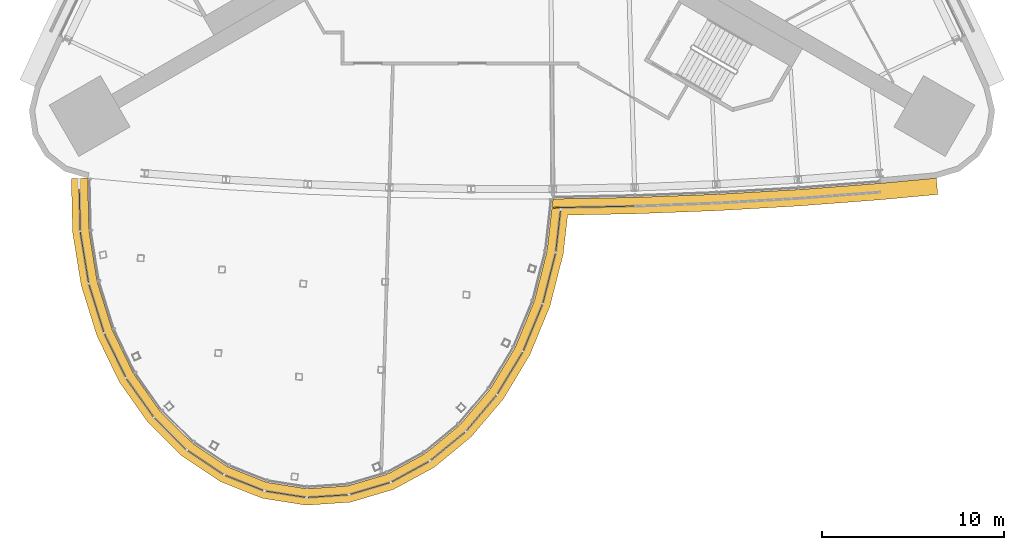
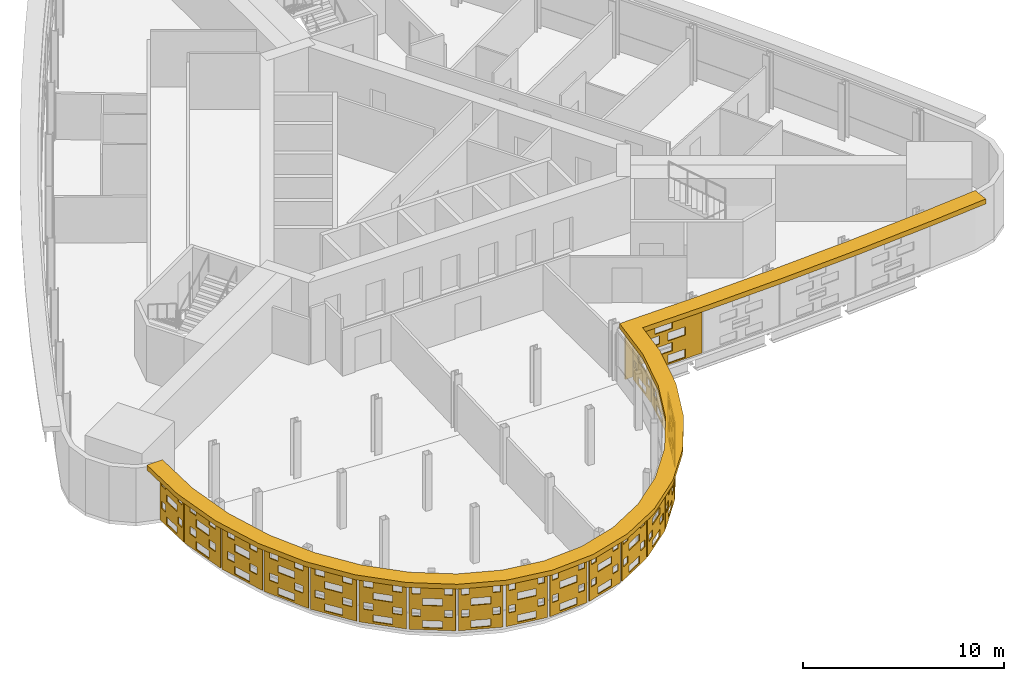
# One storey, part 13 of 15: 20 shading devices.
"""IFC4 building model written with IfcOpenShell, lengths in metres."""

from ifc_helpers import new_model, si_unit, direction, frame, origin, place, context, subcontext, project, spatial, polyline, outline, extrude, material, layer, layer_set, material_profile, profile_set, type_object, element, save


model = new_model("IFC4")

# Units and contexts
model_context = context("Model", 3, precision=1e-05, world=origin(), true_north=direction((0.0, 1.0)))
body_context = subcontext(model_context, "Body", "Model", "MODEL_VIEW")
ifc_project = project(units=[si_unit("LENGTHUNIT", "METRE"), si_unit("AREAUNIT", "SQUARE_METRE"), si_unit("VOLUMEUNIT", "CUBIC_METRE"), si_unit("PLANEANGLEUNIT", "RADIAN"), si_unit("MASSUNIT", "GRAM", prefix="KILO")], contexts=[model_context])

# Site, building, storey
site_placement = place(None, origin())
site = spatial("IfcSite", under=ifc_project, at=site_placement, CompositionType="ELEMENT")
building_placement = place(site_placement, origin())
building = spatial("IfcBuilding", under=site, at=building_placement, Name="Noor Cloister Tower", CompositionType="ELEMENT")
storey_placement = place(building_placement, frame((0.0, 0.0, 58.199951171875)))
storey = spatial("IfcBuildingStorey", under=building, at=storey_placement, Name="L14", CompositionType="ELEMENT", Elevation=58.199951171875)

# Shading devices
ifc_material_1 = material(Name="Limestone", Category="masonry")
ifc_material_profile = material_profile(ifc_material_1, outline(polyline([(-2.22998046875, -1.35009765625), (2.22998046875, -1.35009765625), (2.22998046875, 1.35009765625), (-2.22998046875, 1.35009765625), (-2.22998046875, -1.35009765625)]), holes=[polyline([(-1.25, -1.263427734375), (-0.25, -1.263427734375), (-0.25, -0.76171875), (-1.25, -0.76171875), (-1.25, -1.263427734375)]), polyline([(0.25, -1.263427734375), (1.25, -1.263427734375), (1.25, -0.76171875), (0.25, -0.76171875), (0.25, -1.263427734375)]), polyline([(-0.5, -0.58837890625), (0.5, -0.58837890625), (0.5, -0.086669921875), (-0.5, -0.086669921875), (-0.5, -0.58837890625)]), polyline([(-1.25, 0.086669921875), (-0.25, 0.086669921875), (-0.25, 0.58837890625), (-1.25, 0.58837890625), (-1.25, 0.086669921875)]), polyline([(0.25, 0.086669921875), (1.25, 0.086669921875), (1.25, 0.58837890625), (0.25, 0.58837890625), (0.25, 0.086669921875)]), polyline([(-0.5, 0.76171875), (0.5, 0.76171875), (0.5, 1.263427734375), (-0.5, 1.263427734375), (-0.5, 0.76171875)])]), Name="Woven screen 25 percent open")
ifc_profile_set = profile_set([ifc_material_profile], Name="Limestone")
shading_device_type_1 = type_object("IfcShadingDeviceType", Name="SCREEN woven limestone 25 percent open", PredefinedType="USERDEFINED", material=ifc_profile_set)
shading_device_1_placement = place(storey_placement, frame((4.508056640625, -18.35107421875, 1.85009765625), z_axis=(0.020321006241, -0.999793507033, 0.0), x_axis=(0.999793507033, 0.020321006241, 0.0)))
element("IfcShadingDevice", 1, at=shading_device_1_placement, inside=storey, type_object=shading_device_type_1, Name="SCREEN L14 19", ObjectType="SCREEN", PredefinedType="USERDEFINED", context=body_context, shape_type="SweptSolid", body=[
    extrude(outline(polyline([(-2.22998046875, -1.35009765625), (2.22998046875, -1.35009765625), (2.22998046875, 1.35009765625), (-2.22998046875, 1.35009765625), (-2.22998046875, -1.35009765625)]), holes=[polyline([(-1.25, -1.263427734375), (-0.25, -1.263427734375), (-0.25, -0.76171875), (-1.25, -0.76171875), (-1.25, -1.263427734375)]), polyline([(0.25, -1.263427734375), (1.25, -1.263427734375), (1.25, -0.76171875), (0.25, -0.76171875), (0.25, -1.263427734375)]), polyline([(-0.5, -0.58837890625), (0.5, -0.58837890625), (0.5, -0.086669921875), (-0.5, -0.086669921875), (-0.5, -0.58837890625)]), polyline([(-1.25, 0.086669921875), (-0.25, 0.086669921875), (-0.25, 0.58837890625), (-1.25, 0.58837890625), (-1.25, 0.086669921875)]), polyline([(0.25, 0.086669921875), (1.25, 0.086669921875), (1.25, 0.58837890625), (0.25, 0.58837890625), (0.25, 0.086669921875)]), polyline([(-0.5, 0.76171875), (0.5, 0.76171875), (0.5, 1.263427734375), (-0.5, 1.263427734375), (-0.5, 0.76171875)])]), origin(), (0.0, 0.0, 1.0), 0.06005859375),
])
ifc_material_2 = material(Name="Limestone", Category="masonry")
ifc_layer = layer(ifc_material_2, 0.06005859375)
ifc_layer_set = layer_set([ifc_layer], Name="SCREEN woven limestone pod 25 percent open")
shading_device_type_2 = type_object("IfcShadingDeviceType", Name="SCREEN woven limestone pod 25 percent open", PredefinedType="USERDEFINED", material=ifc_layer_set)
shading_device_2_placement = place(storey_placement, frame((-23.707275390625, -18.546142578125, 1.85009765625), z_axis=(-0.999702690643, -0.024382992455, 0.0), x_axis=(0.024382992455, -0.999702690643, 0.0)))
element("IfcShadingDevice", 2, at=shading_device_2_placement, inside=storey, type_object=shading_device_type_2, Name="SCREEN L14 1", ObjectType="SCREEN", PredefinedType="USERDEFINED", context=body_context, shape_type="SweptSolid", body=[
    extrude(outline(polyline([(-1.115966796875, -1.35009765625), (1.115966796875, -1.35009765625), (1.115966796875, 1.35009765625), (-1.115966796875, 1.35009765625), (-1.115966796875, -1.35009765625)]), holes=[polyline([(-0.5, -1.22998046875), (0.5, -1.22998046875), (0.5, -0.794921875), (-0.5, -0.794921875), (-0.5, -1.22998046875)]), polyline([(0.60009765625, -0.554931640625), (0.9658203125, -0.554931640625), (0.9658203125, -0.1201171875), (0.60009765625, -0.1201171875), (0.60009765625, -0.554931640625)]), polyline([(-0.9658203125, -0.554931640625), (-0.60009765625, -0.554931640625), (-0.60009765625, -0.1201171875), (-0.9658203125, -0.1201171875), (-0.9658203125, -0.554931640625)]), polyline([(-0.5, 0.1201171875), (0.5, 0.1201171875), (0.5, 0.554931640625), (-0.5, 0.554931640625), (-0.5, 0.1201171875)]), polyline([(0.60009765625, 0.794921875), (0.9658203125, 0.794921875), (0.9658203125, 1.22998046875), (0.60009765625, 1.22998046875), (0.60009765625, 0.794921875)]), polyline([(-0.9658203125, 0.794921875), (-0.60009765625, 0.794921875), (-0.60009765625, 1.22998046875), (-0.9658203125, 1.22998046875), (-0.9658203125, 0.794921875)])]), origin(), (0.0, 0.0, 1.0), 0.06005859375),
])
shading_device_3_placement = place(storey_placement, frame((-23.449462890625, -21.1435546875, 1.85009765625), z_axis=(-0.986721182076, -0.162423239848, 0.0), x_axis=(0.162423239848, -0.986721182076, 0.0)))
element("IfcShadingDevice", 3, at=shading_device_3_placement, inside=storey, type_object=shading_device_type_2, Name="SCREEN L14 2", ObjectType="SCREEN", PredefinedType="USERDEFINED", context=body_context, shape_type="SweptSolid", body=[
    extrude(outline(polyline([(-1.398681640625, -1.35009765625), (1.398681640625, -1.35009765625), (1.398681640625, 1.35009765625), (-1.398681640625, 1.35009765625), (-1.398681640625, -1.35009765625)]), holes=[polyline([(-0.5, -1.24853515625), (0.5, -1.24853515625), (0.5, -0.7763671875), (-0.5, -0.7763671875), (-0.5, -1.24853515625)]), polyline([(-1.0, -0.573486328125), (-0.5, -0.573486328125), (-0.5, -0.1015625), (-1.0, -0.1015625), (-1.0, -0.573486328125)]), polyline([(0.5, -0.573486328125), (1.0, -0.573486328125), (1.0, -0.1015625), (0.5, -0.1015625), (0.5, -0.573486328125)]), polyline([(-0.5, 0.1015625), (0.5, 0.1015625), (0.5, 0.573486328125), (-0.5, 0.573486328125), (-0.5, 0.1015625)]), polyline([(-1.0, 0.7763671875), (-0.5, 0.7763671875), (-0.5, 1.24853515625), (-1.0, 1.24853515625), (-1.0, 0.7763671875)]), polyline([(0.5, 0.7763671875), (1.0, 0.7763671875), (1.0, 1.24853515625), (0.5, 1.24853515625), (0.5, 0.7763671875)])]), origin(), (0.0, 0.0, 1.0), 0.06005859375),
])
shading_device_4_placement = place(storey_placement, frame((-22.796630859375, -23.929443359375, 1.85009765625), z_axis=(-0.954984766623, -0.296654842398, 0.0), x_axis=(0.296654842398, -0.954984766623, 0.0)))
element("IfcShadingDevice", 4, at=shading_device_4_placement, inside=storey, type_object=shading_device_type_2, Name="SCREEN L14 3", ObjectType="SCREEN", PredefinedType="USERDEFINED", context=body_context, shape_type="SweptSolid", body=[
    extrude(outline(polyline([(-1.36572265625, -1.35009765625), (1.36572265625, -1.35009765625), (1.36572265625, 1.35009765625), (-1.36572265625, 1.35009765625), (-1.36572265625, -1.35009765625)]), holes=[polyline([(-0.5, -1.242919921875), (0.5, -1.242919921875), (0.5, -0.781982421875), (-0.5, -0.781982421875), (-0.5, -1.242919921875)]), polyline([(-1.0, -0.56787109375), (-0.5, -0.56787109375), (-0.5, -0.10693359375), (-1.0, -0.10693359375), (-1.0, -0.56787109375)]), polyline([(0.5, -0.56787109375), (1.0, -0.56787109375), (1.0, -0.10693359375), (0.5, -0.10693359375), (0.5, -0.56787109375)]), polyline([(-0.5, 0.10693359375), (0.5, 0.10693359375), (0.5, 0.56787109375), (-0.5, 0.56787109375), (-0.5, 0.10693359375)]), polyline([(-1.0, 0.781982421875), (-0.5, 0.781982421875), (-0.5, 1.242919921875), (-1.0, 1.242919921875), (-1.0, 0.781982421875)]), polyline([(0.5, 0.781982421875), (1.0, 0.781982421875), (1.0, 1.242919921875), (0.5, 1.242919921875), (0.5, 0.781982421875)])]), origin(), (0.0, 0.0, 1.0), 0.06005859375),
])
shading_device_5_placement = place(storey_placement, frame((-21.773681640625, -26.520751953125, 1.85009765625), z_axis=(-0.898455643642, -0.43906429644, 0.0), x_axis=(0.43906429644, -0.898455643642, 0.0)))
element("IfcShadingDevice", 5, at=shading_device_5_placement, inside=storey, type_object=shading_device_type_2, Name="SCREEN L14 4", ObjectType="SCREEN", PredefinedType="USERDEFINED", context=body_context, shape_type="SweptSolid", body=[
    extrude(outline(polyline([(-1.3203125, -1.35009765625), (1.3203125, -1.35009765625), (1.3203125, 1.35009765625), (-1.3203125, 1.35009765625), (-1.3203125, -1.35009765625)]), holes=[polyline([(-0.5, -1.2353515625), (0.5, -1.2353515625), (0.5, -0.789794921875), (-0.5, -0.789794921875), (-0.5, -1.2353515625)]), polyline([(-1.0, -0.560302734375), (-0.5, -0.560302734375), (-0.5, -0.11474609375), (-1.0, -0.11474609375), (-1.0, -0.560302734375)]), polyline([(0.5, -0.560302734375), (1.0, -0.560302734375), (1.0, -0.11474609375), (0.5, -0.11474609375), (0.5, -0.560302734375)]), polyline([(-0.5, 0.11474609375), (0.5, 0.11474609375), (0.5, 0.560302734375), (-0.5, 0.560302734375), (-0.5, 0.11474609375)]), polyline([(-1.0, 0.789794921875), (-0.5, 0.789794921875), (-0.5, 1.2353515625), (-1.0, 1.2353515625), (-1.0, 0.789794921875)]), polyline([(0.5, 0.789794921875), (1.0, 0.789794921875), (1.0, 1.2353515625), (0.5, 1.2353515625), (0.5, 0.789794921875)])]), origin(), (0.0, 0.0, 1.0), 0.06005859375),
])
shading_device_6_placement = place(storey_placement, frame((-20.4091796875, -28.840087890625, 1.85009765625), z_axis=(-0.81538298462, -0.57892191908, 0.0), x_axis=(0.57892191908, -0.81538298462, 0.0)))
element("IfcShadingDevice", 6, at=shading_device_6_placement, inside=storey, type_object=shading_device_type_2, Name="SCREEN L14 5", ObjectType="SCREEN", PredefinedType="USERDEFINED", context=body_context, shape_type="SweptSolid", body=[
    extrude(outline(polyline([(-1.266357421875, -1.35009765625), (1.266357421875, -1.35009765625), (1.266357421875, 1.35009765625), (-1.266357421875, 1.35009765625), (-1.266357421875, -1.35009765625)]), holes=[polyline([(-0.5, -1.226318359375), (0.5, -1.226318359375), (0.5, -0.798828125), (-0.5, -0.798828125), (-0.5, -1.226318359375)]), polyline([(-1.0, -0.55126953125), (-0.5, -0.55126953125), (-0.5, -0.123779296875), (-1.0, -0.123779296875), (-1.0, -0.55126953125)]), polyline([(0.5, -0.55126953125), (1.0, -0.55126953125), (1.0, -0.123779296875), (0.5, -0.123779296875), (0.5, -0.55126953125)]), polyline([(-0.5, 0.123779296875), (0.5, 0.123779296875), (0.5, 0.55126953125), (-0.5, 0.55126953125), (-0.5, 0.123779296875)]), polyline([(-1.0, 0.798828125), (-0.5, 0.798828125), (-0.5, 1.226318359375), (-1.0, 1.226318359375), (-1.0, 0.798828125)]), polyline([(0.5, 0.798828125), (1.0, 0.798828125), (1.0, 1.226318359375), (0.5, 1.226318359375), (0.5, 0.798828125)])]), origin(), (0.0, 0.0, 1.0), 0.059814453125),
])
shading_device_7_placement = place(storey_placement, frame((-18.740966796875, -30.816650390625, 1.85009765625), z_axis=(-0.703031338833, -0.711158868762, 0.0), x_axis=(0.711158868762, -0.703031338833, 0.0)))
element("IfcShadingDevice", 7, at=shading_device_7_placement, inside=storey, type_object=shading_device_type_2, Name="SCREEN L14 6", ObjectType="SCREEN", PredefinedType="USERDEFINED", context=body_context, shape_type="SweptSolid", body=[
    extrude(outline(polyline([(-1.210205078125, -1.35009765625), (1.210205078125, -1.35009765625), (1.210205078125, 1.35009765625), (-1.210205078125, 1.35009765625), (-1.210205078125, -1.35009765625)]), holes=[polyline([(-0.5, -1.216796875), (0.5, -1.216796875), (0.5, -0.808349609375), (-0.5, -0.808349609375), (-0.5, -1.216796875)]), polyline([(-1.0, -0.541748046875), (-0.5, -0.541748046875), (-0.5, -0.13330078125), (-1.0, -0.13330078125), (-1.0, -0.541748046875)]), polyline([(0.5, -0.541748046875), (1.0, -0.541748046875), (1.0, -0.13330078125), (0.5, -0.13330078125), (0.5, -0.541748046875)]), polyline([(-0.5, 0.13330078125), (0.5, 0.13330078125), (0.5, 0.541748046875), (-0.5, 0.541748046875), (-0.5, 0.13330078125)]), polyline([(-1.0, 0.808349609375), (-0.5, 0.808349609375), (-0.5, 1.216796875), (-1.0, 1.216796875), (-1.0, 0.808349609375)]), polyline([(0.5, 0.808349609375), (1.0, 0.808349609375), (1.0, 1.216796875), (0.5, 1.216796875), (0.5, 0.808349609375)])]), origin(), (0.0, 0.0, 1.0), 0.06005859375),
])
shading_device_8_placement = place(storey_placement, frame((-16.816650390625, -32.388427734375, 1.85009765625), z_axis=(-0.552822691054, -0.833298909309, 0.0), x_axis=(0.833298909309, -0.552822691054, 0.0)))
element("IfcShadingDevice", 8, at=shading_device_8_placement, inside=storey, type_object=shading_device_type_2, Name="SCREEN L14 7", ObjectType="SCREEN", PredefinedType="USERDEFINED", context=body_context, shape_type="SweptSolid", body=[
    extrude(outline(polyline([(-1.15869140625, -1.35009765625), (1.15869140625, -1.35009765625), (1.15869140625, 1.35009765625), (-1.15869140625, 1.35009765625), (-1.15869140625, -1.35009765625)]), holes=[polyline([(-0.5, -1.227783203125), (0.5, -1.227783203125), (0.5, -0.79736328125), (-0.5, -0.79736328125), (-0.5, -1.227783203125)]), polyline([(0.60009765625, -0.552734375), (1.0087890625, -0.552734375), (1.0087890625, -0.122314453125), (0.60009765625, -0.122314453125), (0.60009765625, -0.552734375)]), polyline([(-1.0087890625, -0.552734375), (-0.60009765625, -0.552734375), (-0.60009765625, -0.122314453125), (-1.0087890625, -0.122314453125), (-1.0087890625, -0.552734375)]), polyline([(-0.5, 0.122314453125), (0.5, 0.122314453125), (0.5, 0.552734375), (-0.5, 0.552734375), (-0.5, 0.122314453125)]), polyline([(0.60009765625, 0.79736328125), (1.0087890625, 0.79736328125), (1.0087890625, 1.227783203125), (0.60009765625, 1.227783203125), (0.60009765625, 0.79736328125)]), polyline([(-1.0087890625, 0.79736328125), (-0.60009765625, 0.79736328125), (-0.60009765625, 1.227783203125), (-1.0087890625, 1.227783203125), (-1.0087890625, 0.79736328125)])]), origin(), (0.0, 0.0, 1.0), 0.06005859375),
])
shading_device_9_placement = place(storey_placement, frame((-14.693115234375, -33.50439453125, 1.85009765625), z_axis=(-0.370688243003, -0.928757356094, 0.0), x_axis=(0.928757356094, -0.370688243003, 0.0)))
element("IfcShadingDevice", 9, at=shading_device_9_placement, inside=storey, type_object=shading_device_type_2, Name="SCREEN L14 8", ObjectType="SCREEN", PredefinedType="USERDEFINED", context=body_context, shape_type="SweptSolid", body=[
    extrude(outline(polyline([(-1.118896484375, -1.35009765625), (1.118896484375, -1.35009765625), (1.118896484375, 1.35009765625), (-1.118896484375, 1.35009765625), (-1.118896484375, -1.35009765625)]), holes=[polyline([(-0.5, -1.229736328125), (0.5, -1.229736328125), (0.5, -0.795166015625), (-0.5, -0.795166015625), (-0.5, -1.229736328125)]), polyline([(0.60009765625, -0.5546875), (0.968994140625, -0.5546875), (0.968994140625, -0.1201171875), (0.60009765625, -0.1201171875), (0.60009765625, -0.5546875)]), polyline([(-0.968994140625, -0.5546875), (-0.60009765625, -0.5546875), (-0.60009765625, -0.1201171875), (-0.968994140625, -0.1201171875), (-0.968994140625, -0.5546875)]), polyline([(-0.5, 0.1201171875), (0.5, 0.1201171875), (0.5, 0.5546875), (-0.5, 0.5546875), (-0.5, 0.1201171875)]), polyline([(0.60009765625, 0.795166015625), (0.968994140625, 0.795166015625), (0.968994140625, 1.229736328125), (0.60009765625, 1.229736328125), (0.60009765625, 0.795166015625)]), polyline([(-0.968994140625, 0.795166015625), (-0.60009765625, 0.795166015625), (-0.60009765625, 1.229736328125), (-0.968994140625, 1.229736328125), (-0.968994140625, 0.795166015625)])]), origin(), (0.0, 0.0, 1.0), 0.059814453125),
])
shading_device_10_placement = place(storey_placement, frame((-12.435546875, -34.125244140625, 1.85009765625), z_axis=(-0.154500907682, -0.987992646494, 0.0), x_axis=(0.987992646494, -0.154500907682, 0.0)))
element("IfcShadingDevice", 10, at=shading_device_10_placement, inside=storey, type_object=shading_device_type_2, Name="SCREEN L14 9", ObjectType="SCREEN", PredefinedType="USERDEFINED", context=body_context, shape_type="SweptSolid", body=[
    extrude(outline(polyline([(-1.09716796875, -1.35009765625), (1.09716796875, -1.35009765625), (1.09716796875, 1.35009765625), (-1.09716796875, 1.35009765625), (-1.09716796875, -1.35009765625)]), holes=[polyline([(-0.5, -1.23095703125), (0.5, -1.23095703125), (0.5, -0.7939453125), (-0.5, -0.7939453125), (-0.5, -1.23095703125)]), polyline([(0.60009765625, -0.55615234375), (0.947265625, -0.55615234375), (0.947265625, -0.118896484375), (0.60009765625, -0.118896484375), (0.60009765625, -0.55615234375)]), polyline([(-0.947265625, -0.55615234375), (-0.60009765625, -0.55615234375), (-0.60009765625, -0.118896484375), (-0.947265625, -0.118896484375), (-0.947265625, -0.55615234375)]), polyline([(-0.5, 0.118896484375), (0.5, 0.118896484375), (0.5, 0.55615234375), (-0.5, 0.55615234375), (-0.5, 0.118896484375)]), polyline([(0.60009765625, 0.7939453125), (0.947265625, 0.7939453125), (0.947265625, 1.23095703125), (0.60009765625, 1.23095703125), (0.60009765625, 0.7939453125)]), polyline([(-0.947265625, 0.7939453125), (-0.60009765625, 0.7939453125), (-0.60009765625, 1.23095703125), (-0.947265625, 1.23095703125), (-0.947265625, 0.7939453125)])]), origin(), (0.0, 0.0, 1.0), 0.06005859375),
])
shading_device_11_placement = place(storey_placement, frame((-10.116455078125, -34.22900390625, 1.85009765625), z_axis=(0.064903515062, -0.997891544073, 0.0), x_axis=(0.997891544073, 0.064903515062, 0.0)))
element("IfcShadingDevice", 11, at=shading_device_11_placement, inside=storey, type_object=shading_device_type_2, Name="SCREEN L14 10", ObjectType="SCREEN", PredefinedType="USERDEFINED", context=body_context, shape_type="SweptSolid", body=[
    extrude(outline(polyline([(-1.09716796875, -1.35009765625), (1.09716796875, -1.35009765625), (1.09716796875, 1.35009765625), (-1.09716796875, 1.35009765625), (-1.09716796875, -1.35009765625)]), holes=[polyline([(-0.5, -1.23095703125), (0.5, -1.23095703125), (0.5, -0.7939453125), (-0.5, -0.7939453125), (-0.5, -1.23095703125)]), polyline([(0.60009765625, -0.55615234375), (0.947265625, -0.55615234375), (0.947265625, -0.118896484375), (0.60009765625, -0.118896484375), (0.60009765625, -0.55615234375)]), polyline([(-0.947265625, -0.55615234375), (-0.60009765625, -0.55615234375), (-0.60009765625, -0.118896484375), (-0.947265625, -0.118896484375), (-0.947265625, -0.55615234375)]), polyline([(-0.5, 0.118896484375), (0.5, 0.118896484375), (0.5, 0.55615234375), (-0.5, 0.55615234375), (-0.5, 0.118896484375)]), polyline([(0.60009765625, 0.7939453125), (0.947265625, 0.7939453125), (0.947265625, 1.23095703125), (0.60009765625, 1.23095703125), (0.60009765625, 0.7939453125)]), polyline([(-0.947265625, 0.7939453125), (-0.60009765625, 0.7939453125), (-0.60009765625, 1.23095703125), (-0.947265625, 1.23095703125), (-0.947265625, 0.7939453125)])]), origin(), (0.0, 0.0, 1.0), 0.060302734375),
])
shading_device_12_placement = place(storey_placement, frame((-7.8125, -33.812255859375, 1.85009765625), z_axis=(0.284364947432, -0.958716108487, 0.0), x_axis=(0.958716108487, 0.284364947432, 0.0)))
element("IfcShadingDevice", 12, at=shading_device_12_placement, inside=storey, type_object=shading_device_type_2, Name="SCREEN L14 11", ObjectType="SCREEN", PredefinedType="USERDEFINED", context=body_context, shape_type="SweptSolid", body=[
    extrude(outline(polyline([(-1.118896484375, -1.35009765625), (1.118896484375, -1.35009765625), (1.118896484375, 1.35009765625), (-1.118896484375, 1.35009765625), (-1.118896484375, -1.35009765625)]), holes=[polyline([(-0.5, -1.229736328125), (0.5, -1.229736328125), (0.5, -0.795166015625), (-0.5, -0.795166015625), (-0.5, -1.229736328125)]), polyline([(0.60009765625, -0.5546875), (0.968994140625, -0.5546875), (0.968994140625, -0.1201171875), (0.60009765625, -0.1201171875), (0.60009765625, -0.5546875)]), polyline([(-0.968994140625, -0.5546875), (-0.60009765625, -0.5546875), (-0.60009765625, -0.1201171875), (-0.968994140625, -0.1201171875), (-0.968994140625, -0.5546875)]), polyline([(-0.5, 0.1201171875), (0.5, 0.1201171875), (0.5, 0.5546875), (-0.5, 0.5546875), (-0.5, 0.1201171875)]), polyline([(0.60009765625, 0.795166015625), (0.968994140625, 0.795166015625), (0.968994140625, 1.229736328125), (0.60009765625, 1.229736328125), (0.60009765625, 0.795166015625)]), polyline([(-0.968994140625, 0.795166015625), (-0.60009765625, 0.795166015625), (-0.60009765625, 1.229736328125), (-0.968994140625, 1.229736328125), (-0.968994140625, 0.795166015625)])]), origin(), (0.0, 0.0, 1.0), 0.06005859375),
])
shading_device_13_placement = place(storey_placement, frame((-5.59765625, -32.890869140625, 1.85009765625), z_axis=(0.479421352547, -0.877584848731, 0.0), x_axis=(0.877584848731, 0.479421352547, 0.0)))
element("IfcShadingDevice", 13, at=shading_device_13_placement, inside=storey, type_object=shading_device_type_2, Name="SCREEN L14 12", ObjectType="SCREEN", PredefinedType="USERDEFINED", context=body_context, shape_type="SweptSolid", body=[
    extrude(outline(polyline([(-1.15869140625, -1.35009765625), (1.15869140625, -1.35009765625), (1.15869140625, 1.35009765625), (-1.15869140625, 1.35009765625), (-1.15869140625, -1.35009765625)]), holes=[polyline([(-0.5, -1.227783203125), (0.5, -1.227783203125), (0.5, -0.79736328125), (-0.5, -0.79736328125), (-0.5, -1.227783203125)]), polyline([(0.60009765625, -0.552734375), (1.0087890625, -0.552734375), (1.0087890625, -0.122314453125), (0.60009765625, -0.122314453125), (0.60009765625, -0.552734375)]), polyline([(-1.0087890625, -0.552734375), (-0.60009765625, -0.552734375), (-0.60009765625, -0.122314453125), (-1.0087890625, -0.122314453125), (-1.0087890625, -0.552734375)]), polyline([(-0.5, 0.122314453125), (0.5, 0.122314453125), (0.5, 0.552734375), (-0.5, 0.552734375), (-0.5, 0.122314453125)]), polyline([(0.60009765625, 0.79736328125), (1.0087890625, 0.79736328125), (1.0087890625, 1.227783203125), (0.60009765625, 1.227783203125), (0.60009765625, 0.79736328125)]), polyline([(-1.0087890625, 0.79736328125), (-0.60009765625, 0.79736328125), (-0.60009765625, 1.227783203125), (-1.0087890625, 1.227783203125), (-1.0087890625, 0.79736328125)])]), origin(), (0.0, 0.0, 1.0), 0.06005859375),
])
shading_device_14_placement = place(storey_placement, frame((-3.54052734375, -31.4970703125, 1.85009765625), z_axis=(0.634565916964, -0.77286874502, 0.0), x_axis=(0.77286874502, 0.634565916964, 0.0)))
element("IfcShadingDevice", 14, at=shading_device_14_placement, inside=storey, type_object=shading_device_type_2, Name="SCREEN L14 13", ObjectType="SCREEN", PredefinedType="USERDEFINED", context=body_context, shape_type="SweptSolid", body=[
    extrude(outline(polyline([(-1.210205078125, -1.35009765625), (1.210205078125, -1.35009765625), (1.210205078125, 1.35009765625), (-1.210205078125, 1.35009765625), (-1.210205078125, -1.35009765625)]), holes=[polyline([(-0.5, -1.216796875), (0.5, -1.216796875), (0.5, -0.808349609375), (-0.5, -0.808349609375), (-0.5, -1.216796875)]), polyline([(-1.0, -0.541748046875), (-0.5, -0.541748046875), (-0.5, -0.13330078125), (-1.0, -0.13330078125), (-1.0, -0.541748046875)]), polyline([(0.5, -0.541748046875), (1.0, -0.541748046875), (1.0, -0.13330078125), (0.5, -0.13330078125), (0.5, -0.541748046875)]), polyline([(-0.5, 0.13330078125), (0.5, 0.13330078125), (0.5, 0.541748046875), (-0.5, 0.541748046875), (-0.5, 0.13330078125)]), polyline([(-1.0, 0.808349609375), (-0.5, 0.808349609375), (-0.5, 1.216796875), (-1.0, 1.216796875), (-1.0, 0.808349609375)]), polyline([(0.5, 0.808349609375), (1.0, 0.808349609375), (1.0, 1.216796875), (0.5, 1.216796875), (0.5, 0.808349609375)])]), origin(), (0.0, 0.0, 1.0), 0.06005859375),
])
shading_device_15_placement = place(storey_placement, frame((-1.70263671875, -29.677490234375, 1.85009765625), z_axis=(0.76354031618, -0.645760161025, 0.0), x_axis=(0.645760161025, 0.76354031618, 0.0)))
element("IfcShadingDevice", 15, at=shading_device_15_placement, inside=storey, type_object=shading_device_type_2, Name="SCREEN L14 14", ObjectType="SCREEN", PredefinedType="USERDEFINED", context=body_context, shape_type="SweptSolid", body=[
    extrude(outline(polyline([(-1.266357421875, -1.35009765625), (1.266357421875, -1.35009765625), (1.266357421875, 1.35009765625), (-1.266357421875, 1.35009765625), (-1.266357421875, -1.35009765625)]), holes=[polyline([(-0.5, -1.226318359375), (0.5, -1.226318359375), (0.5, -0.798828125), (-0.5, -0.798828125), (-0.5, -1.226318359375)]), polyline([(-1.0, -0.55126953125), (-0.5, -0.55126953125), (-0.5, -0.123779296875), (-1.0, -0.123779296875), (-1.0, -0.55126953125)]), polyline([(0.5, -0.55126953125), (1.0, -0.55126953125), (1.0, -0.123779296875), (0.5, -0.123779296875), (0.5, -0.55126953125)]), polyline([(-0.5, 0.123779296875), (0.5, 0.123779296875), (0.5, 0.55126953125), (-0.5, 0.55126953125), (-0.5, 0.123779296875)]), polyline([(-1.0, 0.798828125), (-0.5, 0.798828125), (-0.5, 1.226318359375), (-1.0, 1.226318359375), (-1.0, 0.798828125)]), polyline([(0.5, 0.798828125), (1.0, 0.798828125), (1.0, 1.226318359375), (0.5, 1.226318359375), (0.5, 0.798828125)])]), origin(), (0.0, 0.0, 1.0), 0.06005859375),
])
shading_device_16_placement = place(storey_placement, frame((-0.135986328125, -27.489501953125, 1.85009765625), z_axis=(0.855690023312, -0.517488728384, 0.0), x_axis=(0.517488728384, 0.855690023312, 0.0)))
element("IfcShadingDevice", 16, at=shading_device_16_placement, inside=storey, type_object=shading_device_type_2, Name="SCREEN L14 15", ObjectType="SCREEN", PredefinedType="USERDEFINED", context=body_context, shape_type="SweptSolid", body=[
    extrude(outline(polyline([(-1.3203125, -1.35009765625), (1.3203125, -1.35009765625), (1.3203125, 1.35009765625), (-1.3203125, 1.35009765625), (-1.3203125, -1.35009765625)]), holes=[polyline([(-0.5, -1.2353515625), (0.5, -1.2353515625), (0.5, -0.789794921875), (-0.5, -0.789794921875), (-0.5, -1.2353515625)]), polyline([(-1.0, -0.560302734375), (-0.5, -0.560302734375), (-0.5, -0.11474609375), (-1.0, -0.11474609375), (-1.0, -0.560302734375)]), polyline([(0.5, -0.560302734375), (1.0, -0.560302734375), (1.0, -0.11474609375), (0.5, -0.11474609375), (0.5, -0.560302734375)]), polyline([(-0.5, 0.11474609375), (0.5, 0.11474609375), (0.5, 0.560302734375), (-0.5, 0.560302734375), (-0.5, 0.11474609375)]), polyline([(-1.0, 0.789794921875), (-0.5, 0.789794921875), (-0.5, 1.2353515625), (-1.0, 1.2353515625), (-1.0, 0.789794921875)]), polyline([(0.5, 0.789794921875), (1.0, 0.789794921875), (1.0, 1.2353515625), (0.5, 1.2353515625), (0.5, 0.789794921875)])]), origin(), (0.0, 0.0, 1.0), 0.059814453125),
])
shading_device_17_placement = place(storey_placement, frame((1.114501953125, -25.0, 1.85009765625), z_axis=(0.923917630863, -0.382591441855, 0.0), x_axis=(0.382591441855, 0.923917630863, 0.0)))
element("IfcShadingDevice", 17, at=shading_device_17_placement, inside=storey, type_object=shading_device_type_2, Name="SCREEN L14 16", ObjectType="SCREEN", PredefinedType="USERDEFINED", context=body_context, shape_type="SweptSolid", body=[
    extrude(outline(polyline([(-1.36572265625, -1.35009765625), (1.36572265625, -1.35009765625), (1.36572265625, 1.35009765625), (-1.36572265625, 1.35009765625), (-1.36572265625, -1.35009765625)]), holes=[polyline([(-0.5, -1.242919921875), (0.5, -1.242919921875), (0.5, -0.781982421875), (-0.5, -0.781982421875), (-0.5, -1.242919921875)]), polyline([(-1.0, -0.56787109375), (-0.5, -0.56787109375), (-0.5, -0.10693359375), (-1.0, -0.10693359375), (-1.0, -0.56787109375)]), polyline([(0.5, -0.56787109375), (1.0, -0.56787109375), (1.0, -0.10693359375), (0.5, -0.10693359375), (0.5, -0.56787109375)]), polyline([(-0.5, 0.10693359375), (0.5, 0.10693359375), (0.5, 0.56787109375), (-0.5, 0.56787109375), (-0.5, 0.10693359375)]), polyline([(-1.0, 0.781982421875), (-0.5, 0.781982421875), (-0.5, 1.242919921875), (-1.0, 1.242919921875), (-1.0, 0.781982421875)]), polyline([(0.5, 0.781982421875), (1.0, 0.781982421875), (1.0, 1.242919921875), (0.5, 1.242919921875), (0.5, 0.781982421875)])]), origin(), (0.0, 0.0, 1.0), 0.06005859375),
])
shading_device_18_placement = place(storey_placement, frame((2.013671875, -22.28369140625, 1.85009765625), z_axis=(0.969661287127, -0.244452425326, 0.0), x_axis=(0.244452425326, 0.969661287127, 0.0)))
element("IfcShadingDevice", 18, at=shading_device_18_placement, inside=storey, type_object=shading_device_type_2, Name="SCREEN L14 17", ObjectType="SCREEN", PredefinedType="USERDEFINED", context=body_context, shape_type="SweptSolid", body=[
    extrude(outline(polyline([(-1.398681640625, -1.35009765625), (1.398681640625, -1.35009765625), (1.398681640625, 1.35009765625), (-1.398681640625, 1.35009765625), (-1.398681640625, -1.35009765625)]), holes=[polyline([(-0.5, -1.24853515625), (0.5, -1.24853515625), (0.5, -0.7763671875), (-0.5, -0.7763671875), (-0.5, -1.24853515625)]), polyline([(-1.0, -0.573486328125), (-0.5, -0.573486328125), (-0.5, -0.1015625), (-1.0, -0.1015625), (-1.0, -0.573486328125)]), polyline([(0.5, -0.573486328125), (1.0, -0.573486328125), (1.0, -0.1015625), (0.5, -0.1015625), (0.5, -0.573486328125)]), polyline([(-0.5, 0.1015625), (0.5, 0.1015625), (0.5, 0.573486328125), (-0.5, 0.573486328125), (-0.5, 0.1015625)]), polyline([(-1.0, 0.7763671875), (-0.5, 0.7763671875), (-0.5, 1.24853515625), (-1.0, 1.24853515625), (-1.0, 0.7763671875)]), polyline([(0.5, 0.7763671875), (1.0, 0.7763671875), (1.0, 1.24853515625), (0.5, 1.24853515625), (0.5, 0.7763671875)])]), origin(), (0.0, 0.0, 1.0), 0.059814453125),
])
shading_device_19_placement = place(storey_placement, frame((2.50244140625, -19.719482421875, 1.85009765625), z_axis=(0.993480071526, -0.114005909847, 0.0), x_axis=(0.114005909847, 0.993480071526, 0.0)))
element("IfcShadingDevice", 19, at=shading_device_19_placement, inside=storey, type_object=shading_device_type_2, Name="SCREEN L14 18", ObjectType="SCREEN", PredefinedType="USERDEFINED", context=body_context, shape_type="SweptSolid", body=[
    extrude(outline(polyline([(-1.115966796875, -1.35009765625), (1.115966796875, -1.35009765625), (1.115966796875, 1.35009765625), (-1.115966796875, 1.35009765625), (-1.115966796875, -1.35009765625)]), holes=[polyline([(-0.5, -1.22998046875), (0.5, -1.22998046875), (0.5, -0.794921875), (-0.5, -0.794921875), (-0.5, -1.22998046875)]), polyline([(0.60009765625, -0.554931640625), (0.9658203125, -0.554931640625), (0.9658203125, -0.1201171875), (0.60009765625, -0.1201171875), (0.60009765625, -0.554931640625)]), polyline([(-0.9658203125, -0.554931640625), (-0.60009765625, -0.554931640625), (-0.60009765625, -0.1201171875), (-0.9658203125, -0.1201171875), (-0.9658203125, -0.554931640625)]), polyline([(-0.5, 0.1201171875), (0.5, 0.1201171875), (0.5, 0.554931640625), (-0.5, 0.554931640625), (-0.5, 0.1201171875)]), polyline([(0.60009765625, 0.794921875), (0.9658203125, 0.794921875), (0.9658203125, 1.22998046875), (0.60009765625, 1.22998046875), (0.60009765625, 0.794921875)]), polyline([(-0.9658203125, 0.794921875), (-0.60009765625, 0.794921875), (-0.60009765625, 1.22998046875), (-0.9658203125, 1.22998046875), (-0.9658203125, 0.794921875)])]), origin(), (0.0, 0.0, 1.0), 0.06005859375),
])
ifc_material_3 = material(Name="Limestone", Category="masonry")
shading_device_type_3 = type_object("IfcShadingDeviceType", Name="SUNSHADE limestone band 900", PredefinedType="USERDEFINED", material=ifc_material_3)
shading_device_20_placement = place(storey_placement, frame((0.0, 0.0, 3.300048828125)))
element("IfcShadingDevice", 20, at=shading_device_20_placement, inside=storey, type_object=shading_device_type_3, Name="SUNSHADE L14 2", ObjectType="SUNSHADE", PredefinedType="USERDEFINED", context=body_context, shape_type="SweptSolid", body=[
    extrude(outline(polyline([(-24.197021484375, -16.821044921875), (-24.129638671875, -19.753662109375), (-23.65771484375, -22.67919921875), (-22.7939453125, -25.451171875), (-21.560546875, -27.98876953125), (-19.989013671875, -30.2158203125), (-18.1201171875, -32.062744140625), (-16.00537109375, -33.4677734375), (-13.707763671875, -34.37939453125), (-11.302001953125, -34.760498046875), (-8.8720703125, -34.595703125), (-6.502197265625, -33.893310546875), (-4.270263671875, -32.682861328125), (-2.243896484375, -31.01025390625), (-0.4794921875, -28.932373046875), (0.9755859375, -26.515380859375), (2.08349609375, -23.83154296875), (2.815185546875, -20.9599609375), (3.0556640625, -18.828857421875), (6.77490234375, -18.7578125), (11.28857421875, -18.58544921875), (15.79833984375, -18.32666015625), (20.301025390625, -17.982177734375), (23.38037109375, -17.696533203125), (23.29736328125, -16.80029296875), (20.22509765625, -17.085205078125), (15.73828125, -17.4287109375), (11.24560546875, -17.686279296875), (6.7490234375, -17.858154296875), (2.25, -17.944091796875), (1.927734375, -20.797607421875), (1.227294921875, -23.54736328125), (0.169677734375, -26.109130859375), (-1.212890625, -28.40576171875), (-2.878173828125, -30.366943359375), (-4.77587890625, -31.933349609375), (-6.84814453125, -33.05712890625), (-9.0322265625, -33.70458984375), (-11.26171875, -33.855712890625), (-13.468505859375, -33.506103515625), (-15.5859375, -32.666015625), (-17.549560546875, -31.361328125), (-19.299560546875, -29.6318359375), (-20.783203125, -27.529541015625), (-21.954833984375, -25.11865234375), (-22.779296875, -22.472412109375), (-23.2314453125, -19.67138671875), (-23.29736328125, -16.80029296875), (-24.197021484375, -16.821044921875)])), origin(), (0.0, 0.0, 1.0), 0.300048828125),
])

save(model, "model.ifc")
